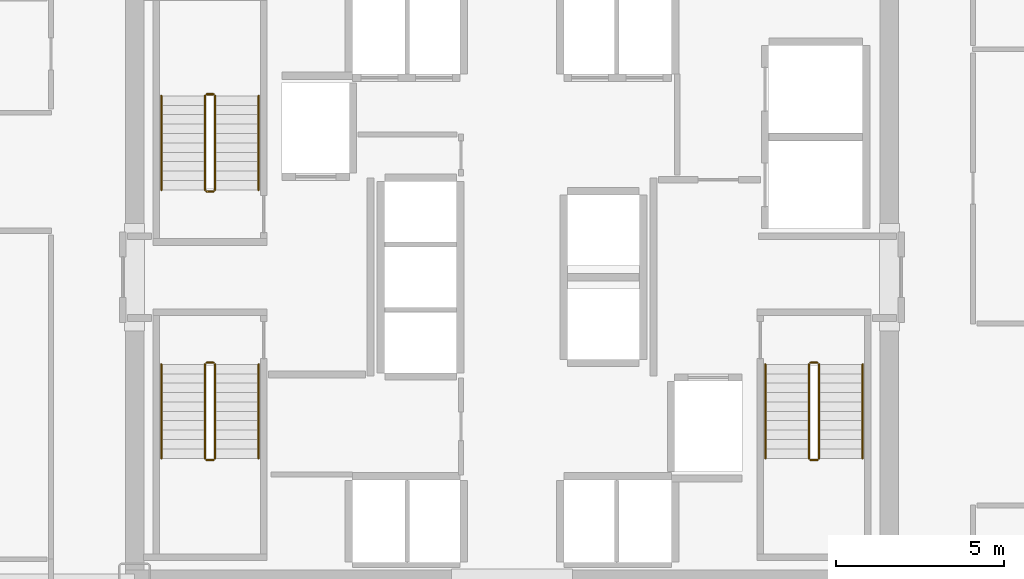
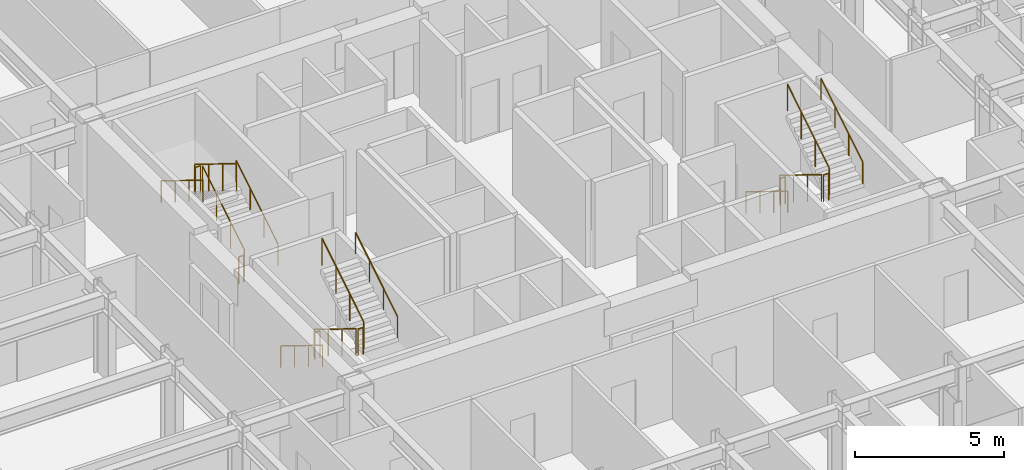
# One storey, part 25 of 25: 18 railings.
"""IFC4 building model written with IfcOpenShell, lengths in metres."""

from ifc_helpers import new_model, si_unit, direction, frame, origin, origin_2d, place, context, subcontext, project, spatial, circle, extrude, material, type_object, element, save


model = new_model("IFC4")

# Units and contexts
model_context = context("Model", 3, precision=1e-05, world=origin(), true_north=direction((0.0, 1.0)))
body_context = subcontext(model_context, "Body", "Model", "MODEL_VIEW")
ifc_project = project(units=[si_unit("LENGTHUNIT", "METRE"), si_unit("AREAUNIT", "SQUARE_METRE"), si_unit("VOLUMEUNIT", "CUBIC_METRE"), si_unit("PLANEANGLEUNIT", "RADIAN"), si_unit("MASSUNIT", "GRAM", prefix="KILO")], contexts=[model_context])

# Site, building, storey
site_placement = place(None, origin())
site = spatial("IfcSite", under=ifc_project, at=site_placement, CompositionType="ELEMENT")
building_placement = place(site_placement, origin())
building = spatial("IfcBuilding", under=site, at=building_placement, Name="Nefas-Gora Pilgrimage Tower", CompositionType="ELEMENT")
storey_placement = place(building_placement, frame((0.0, 0.0, 98.39990234375)))
storey = spatial("IfcBuildingStorey", under=building, at=storey_placement, Name="L23", CompositionType="ELEMENT", Elevation=98.39990234375)

# Railings
ifc_material_1 = material(Name="Painted galvanised steel", Category="steel")
railing_type_1 = type_object("IfcRailingType", Name="RLG-STR-GUARD-1100", PredefinedType="GUARDRAIL", material=ifc_material_1)
railing_1_placement = place(storey_placement, frame((-8.85009765625, 2.60009765625, 0.1728515625)))
element("IfcRailing", 1, at=railing_1_placement, inside=storey, type_object=railing_type_1, Name="L23 ST-01 stair guard 1", PredefinedType="GUARDRAIL", context=body_context, shape_type="SweptSolid", body=[
    extrude(circle(Radius=0.02392578125, at=origin_2d()), frame((0.0, 0.0, 1.09619140625), z_axis=(0.0, 0.851069175582, 0.525053576669), x_axis=(-1.0, 0.0, 0.0)), (0.0, 0.0, 1.0), 3.289794921875),
    extrude(circle(Radius=0.02099609375, at=origin_2d()), origin(), (0.0, 0.0, 1.0), 1.072021484375),
    extrude(circle(Radius=0.02099609375, at=origin_2d()), frame((0.0, 0.933349609375, 0.57568359375)), (0.0, 0.0, 1.0), 1.072021484375),
    extrude(circle(Radius=0.02099609375, at=origin_2d()), frame((0.0, 1.866455078125, 1.151611328125)), (0.0, 0.0, 1.0), 1.072021484375),
    extrude(circle(Radius=0.02099609375, at=origin_2d()), frame((0.0, 2.7998046875, 1.727294921875)), (0.0, 0.0, 1.0), 1.072021484375),
])
railing_2_placement = place(storey_placement, frame((-8.89990234375, 5.449951171875, 1.900146484375)))
element("IfcRailing", 2, at=railing_2_placement, inside=storey, type_object=railing_type_1, Name="L23 ST-01 stair guard 2", PredefinedType="GUARDRAIL", context=body_context, shape_type="SweptSolid", body=[
    extrude(circle(Radius=0.02392578125, at=origin_2d()), frame((0.0, 0.0, 1.09619140625), z_axis=(-1.0, 0.0, 0.0), x_axis=(0.0, -1.0, 0.0)), (0.0, 0.0, 1.0), 0.2001953125),
    extrude(circle(Radius=0.02099609375, at=origin_2d()), origin(), (0.0, 0.0, 1.0), 1.072021484375),
    extrude(circle(Radius=0.02099609375, at=origin_2d()), frame((-0.2001953125, 0.0, 0.0)), (0.0, 0.0, 1.0), 1.072021484375),
])
railing_3_placement = place(storey_placement, frame((-9.14990234375, 5.39990234375, 2.07275390625)))
element("IfcRailing", 3, at=railing_3_placement, inside=storey, type_object=railing_type_1, Name="L23 ST-01 stair guard 3", PredefinedType="GUARDRAIL", context=body_context, shape_type="SweptSolid", body=[
    extrude(circle(Radius=0.02392578125, at=origin_2d()), frame((0.0, 0.0, 1.09619140625), z_axis=(0.0, -0.851069175582, 0.525053576669), x_axis=(1.0, 0.0, 0.0)), (0.0, 0.0, 1.0), 3.289794921875),
    extrude(circle(Radius=0.02099609375, at=origin_2d()), origin(), (0.0, 0.0, 1.0), 1.072021484375),
    extrude(circle(Radius=0.02099609375, at=origin_2d()), frame((0.0, -0.933349609375, 0.57568359375)), (0.0, 0.0, 1.0), 1.072021484375),
    extrude(circle(Radius=0.02099609375, at=origin_2d()), frame((0.0, -1.866455078125, 1.151611328125)), (0.0, 0.0, 1.0), 1.072021484375),
    extrude(circle(Radius=0.02099609375, at=origin_2d()), frame((0.0, -2.7998046875, 1.727294921875)), (0.0, 0.0, 1.0), 1.072021484375),
])
railing_4_placement = place(storey_placement, frame((-8.89990234375, 2.550048828125, 0.0)))
element("IfcRailing", 4, at=railing_4_placement, inside=storey, type_object=railing_type_1, Name="L23 ST-01 stair guard 4", PredefinedType="GUARDRAIL", context=body_context, shape_type="SweptSolid", body=[
    extrude(circle(Radius=0.02392578125, at=origin_2d()), frame((0.0, 0.0, 1.09619140625), z_axis=(-1.0, 0.0, 0.0), x_axis=(0.0, -1.0, 0.0)), (0.0, 0.0, 1.0), 0.2001953125),
    extrude(circle(Radius=0.02099609375, at=origin_2d()), origin(), (0.0, 0.0, 1.0), 1.072021484375),
    extrude(circle(Radius=0.02099609375, at=origin_2d()), frame((-0.2001953125, 0.0, 0.0)), (0.0, 0.0, 1.0), 1.072021484375),
])
railing_5_placement = place(storey_placement, frame((8.85009765625, -2.60009765625, 0.1728515625)))
element("IfcRailing", 5, at=railing_5_placement, inside=storey, type_object=railing_type_1, Name="L23 ST-02 stair guard 1", PredefinedType="GUARDRAIL", context=body_context, shape_type="SweptSolid", body=[
    extrude(circle(Radius=0.02392578125, at=origin_2d()), frame((0.0, 0.0, 1.09619140625), z_axis=(0.0, -0.851069175582, 0.525053576669), x_axis=(1.0, 0.0, 0.0)), (0.0, 0.0, 1.0), 3.289794921875),
    extrude(circle(Radius=0.02099609375, at=origin_2d()), origin(), (0.0, 0.0, 1.0), 1.072021484375),
    extrude(circle(Radius=0.02099609375, at=origin_2d()), frame((0.0, -0.933349609375, 0.57568359375)), (0.0, 0.0, 1.0), 1.072021484375),
    extrude(circle(Radius=0.02099609375, at=origin_2d()), frame((0.0, -1.866455078125, 1.151611328125)), (0.0, 0.0, 1.0), 1.072021484375),
    extrude(circle(Radius=0.02099609375, at=origin_2d()), frame((0.0, -2.7998046875, 1.727294921875)), (0.0, 0.0, 1.0), 1.072021484375),
])
railing_6_placement = place(storey_placement, frame((8.89990234375, -5.449951171875, 1.900146484375)))
element("IfcRailing", 6, at=railing_6_placement, inside=storey, type_object=railing_type_1, Name="L23 ST-02 stair guard 2", PredefinedType="GUARDRAIL", context=body_context, shape_type="SweptSolid", body=[
    extrude(circle(Radius=0.02392578125, at=origin_2d()), frame((0.0, 0.0, 1.09619140625), z_axis=(1.0, 0.0, 0.0), x_axis=(0.0, 1.0, 0.0)), (0.0, 0.0, 1.0), 0.2001953125),
    extrude(circle(Radius=0.02099609375, at=origin_2d()), origin(), (0.0, 0.0, 1.0), 1.072021484375),
    extrude(circle(Radius=0.02099609375, at=origin_2d()), frame((0.2001953125, 0.0, 0.0)), (0.0, 0.0, 1.0), 1.072021484375),
])
railing_7_placement = place(storey_placement, frame((9.14990234375, -5.39990234375, 2.07275390625)))
element("IfcRailing", 7, at=railing_7_placement, inside=storey, type_object=railing_type_1, Name="L23 ST-02 stair guard 3", PredefinedType="GUARDRAIL", context=body_context, shape_type="SweptSolid", body=[
    extrude(circle(Radius=0.02392578125, at=origin_2d()), frame((0.0, 0.0, 1.09619140625), z_axis=(0.0, 0.851069175582, 0.525053576669), x_axis=(-1.0, 0.0, 0.0)), (0.0, 0.0, 1.0), 3.289794921875),
    extrude(circle(Radius=0.02099609375, at=origin_2d()), origin(), (0.0, 0.0, 1.0), 1.072021484375),
    extrude(circle(Radius=0.02099609375, at=origin_2d()), frame((0.0, 0.933349609375, 0.57568359375)), (0.0, 0.0, 1.0), 1.072021484375),
    extrude(circle(Radius=0.02099609375, at=origin_2d()), frame((0.0, 1.866455078125, 1.151611328125)), (0.0, 0.0, 1.0), 1.072021484375),
    extrude(circle(Radius=0.02099609375, at=origin_2d()), frame((0.0, 2.7998046875, 1.727294921875)), (0.0, 0.0, 1.0), 1.072021484375),
])
railing_8_placement = place(storey_placement, frame((8.89990234375, -2.550048828125, 0.0)))
element("IfcRailing", 8, at=railing_8_placement, inside=storey, type_object=railing_type_1, Name="L23 ST-02 stair guard 4", PredefinedType="GUARDRAIL", context=body_context, shape_type="SweptSolid", body=[
    extrude(circle(Radius=0.02392578125, at=origin_2d()), frame((0.0, 0.0, 1.09619140625), z_axis=(1.0, 0.0, 0.0), x_axis=(0.0, 1.0, 0.0)), (0.0, 0.0, 1.0), 0.2001953125),
    extrude(circle(Radius=0.02099609375, at=origin_2d()), origin(), (0.0, 0.0, 1.0), 1.072021484375),
    extrude(circle(Radius=0.02099609375, at=origin_2d()), frame((0.2001953125, 0.0, 0.0)), (0.0, 0.0, 1.0), 1.072021484375),
])
railing_9_placement = place(storey_placement, frame((-9.14990234375, -2.60009765625, 0.1728515625)))
element("IfcRailing", 9, at=railing_9_placement, inside=storey, type_object=railing_type_1, Name="L23 ST-03 stair guard 1", PredefinedType="GUARDRAIL", context=body_context, shape_type="SweptSolid", body=[
    extrude(circle(Radius=0.02392578125, at=origin_2d()), frame((0.0, 0.0, 1.09619140625), z_axis=(0.0, -0.851069175582, 0.525053576669), x_axis=(1.0, 0.0, 0.0)), (0.0, 0.0, 1.0), 3.289794921875),
    extrude(circle(Radius=0.02099609375, at=origin_2d()), origin(), (0.0, 0.0, 1.0), 1.072021484375),
    extrude(circle(Radius=0.02099609375, at=origin_2d()), frame((0.0, -0.933349609375, 0.57568359375)), (0.0, 0.0, 1.0), 1.072021484375),
    extrude(circle(Radius=0.02099609375, at=origin_2d()), frame((0.0, -1.866455078125, 1.151611328125)), (0.0, 0.0, 1.0), 1.072021484375),
    extrude(circle(Radius=0.02099609375, at=origin_2d()), frame((0.0, -2.7998046875, 1.727294921875)), (0.0, 0.0, 1.0), 1.072021484375),
])
railing_10_placement = place(storey_placement, frame((-9.10009765625, -5.449951171875, 1.900146484375)))
element("IfcRailing", 10, at=railing_10_placement, inside=storey, type_object=railing_type_1, Name="L23 ST-03 stair guard 2", PredefinedType="GUARDRAIL", context=body_context, shape_type="SweptSolid", body=[
    extrude(circle(Radius=0.02392578125, at=origin_2d()), frame((0.0, 0.0, 1.09619140625), z_axis=(1.0, 0.0, 0.0), x_axis=(0.0, 1.0, 0.0)), (0.0, 0.0, 1.0), 0.2001953125),
    extrude(circle(Radius=0.02099609375, at=origin_2d()), origin(), (0.0, 0.0, 1.0), 1.072021484375),
    extrude(circle(Radius=0.02099609375, at=origin_2d()), frame((0.2001953125, 0.0, 0.0)), (0.0, 0.0, 1.0), 1.072021484375),
])
railing_11_placement = place(storey_placement, frame((-8.85009765625, -5.39990234375, 2.07275390625)))
element("IfcRailing", 11, at=railing_11_placement, inside=storey, type_object=railing_type_1, Name="L23 ST-03 stair guard 3", PredefinedType="GUARDRAIL", context=body_context, shape_type="SweptSolid", body=[
    extrude(circle(Radius=0.02392578125, at=origin_2d()), frame((0.0, 0.0, 1.09619140625), z_axis=(0.0, 0.851069175582, 0.525053576669), x_axis=(-1.0, 0.0, 0.0)), (0.0, 0.0, 1.0), 3.289794921875),
    extrude(circle(Radius=0.02099609375, at=origin_2d()), origin(), (0.0, 0.0, 1.0), 1.072021484375),
    extrude(circle(Radius=0.02099609375, at=origin_2d()), frame((0.0, 0.933349609375, 0.57568359375)), (0.0, 0.0, 1.0), 1.072021484375),
    extrude(circle(Radius=0.02099609375, at=origin_2d()), frame((0.0, 1.866455078125, 1.151611328125)), (0.0, 0.0, 1.0), 1.072021484375),
    extrude(circle(Radius=0.02099609375, at=origin_2d()), frame((0.0, 2.7998046875, 1.727294921875)), (0.0, 0.0, 1.0), 1.072021484375),
])
railing_12_placement = place(storey_placement, frame((-9.10009765625, -2.550048828125, 0.0)))
element("IfcRailing", 12, at=railing_12_placement, inside=storey, type_object=railing_type_1, Name="L23 ST-03 stair guard 4", PredefinedType="GUARDRAIL", context=body_context, shape_type="SweptSolid", body=[
    extrude(circle(Radius=0.02392578125, at=origin_2d()), frame((0.0, 0.0, 1.09619140625), z_axis=(1.0, 0.0, 0.0), x_axis=(0.0, 1.0, 0.0)), (0.0, 0.0, 1.0), 0.2001953125),
    extrude(circle(Radius=0.02099609375, at=origin_2d()), origin(), (0.0, 0.0, 1.0), 1.072021484375),
    extrude(circle(Radius=0.02099609375, at=origin_2d()), frame((0.2001953125, 0.0, 0.0)), (0.0, 0.0, 1.0), 1.072021484375),
])
ifc_material_2 = material(Name="Brushed stainless steel", Category="steel")
railing_type_2 = type_object("IfcRailingType", Name="RLG-STR-HAND-900", PredefinedType="HANDRAIL", material=ifc_material_2)
railing_13_placement = place(storey_placement, frame((-7.550048828125, 2.60009765625, 0.1728515625)))
element("IfcRailing", 13, at=railing_13_placement, inside=storey, type_object=railing_type_2, Name="L23 ST-01 stair handrail 1", PredefinedType="HANDRAIL", context=body_context, shape_type="SweptSolid", body=[
    extrude(circle(Radius=0.02392578125, at=origin_2d()), frame((0.0, 0.0, 0.8759765625), z_axis=(0.0, 0.851069175582, 0.525053576669), x_axis=(-1.0, 0.0, 0.0)), (0.0, 0.0, 1.0), 3.289794921875),
    extrude(circle(Radius=0.02099609375, at=origin_2d()), origin(), (0.0, 0.0, 1.0), 0.851806640625),
    extrude(circle(Radius=0.02099609375, at=origin_2d()), frame((0.0, 0.933349609375, 0.57568359375)), (0.0, 0.0, 1.0), 0.851806640625),
    extrude(circle(Radius=0.02099609375, at=origin_2d()), frame((0.0, 1.866455078125, 1.151611328125)), (0.0, 0.0, 1.0), 0.851806640625),
    extrude(circle(Radius=0.02099609375, at=origin_2d()), frame((0.0, 2.7998046875, 1.727294921875)), (0.0, 0.0, 1.0), 0.851806640625),
])
for number, where, name in (
    (14, (-10.449951171875, 5.39990234375, 2.07275390625), "L23 ST-01 stair handrail 2"),
    (15, (7.550048828125, -2.60009765625, 0.1728515625), "L23 ST-02 stair handrail 1"),
):
    element("IfcRailing", number, at=place(storey_placement, frame(where)), inside=storey, type_object=railing_type_2, Name=name, PredefinedType="HANDRAIL", context=body_context, shape_type="SweptSolid", body=[
        extrude(circle(Radius=0.02392578125, at=origin_2d()), frame((0.0, 0.0, 0.8759765625), z_axis=(0.0, -0.851069175582, 0.525053576669), x_axis=(1.0, 0.0, 0.0)), (0.0, 0.0, 1.0), 3.289794921875),
        extrude(circle(Radius=0.02099609375, at=origin_2d()), origin(), (0.0, 0.0, 1.0), 0.851806640625),
        extrude(circle(Radius=0.02099609375, at=origin_2d()), frame((0.0, -0.933349609375, 0.57568359375)), (0.0, 0.0, 1.0), 0.851806640625),
        extrude(circle(Radius=0.02099609375, at=origin_2d()), frame((0.0, -1.866455078125, 1.151611328125)), (0.0, 0.0, 1.0), 0.851806640625),
        extrude(circle(Radius=0.02099609375, at=origin_2d()), frame((0.0, -2.7998046875, 1.727294921875)), (0.0, 0.0, 1.0), 0.851806640625),
    ])
railing_14_placement = place(storey_placement, frame((10.449951171875, -5.39990234375, 2.07275390625)))
element("IfcRailing", 16, at=railing_14_placement, inside=storey, type_object=railing_type_2, Name="L23 ST-02 stair handrail 2", PredefinedType="HANDRAIL", context=body_context, shape_type="SweptSolid", body=[
    extrude(circle(Radius=0.02392578125, at=origin_2d()), frame((0.0, 0.0, 0.8759765625), z_axis=(0.0, 0.851069175582, 0.525053576669), x_axis=(-1.0, 0.0, 0.0)), (0.0, 0.0, 1.0), 3.289794921875),
    extrude(circle(Radius=0.02099609375, at=origin_2d()), origin(), (0.0, 0.0, 1.0), 0.851806640625),
    extrude(circle(Radius=0.02099609375, at=origin_2d()), frame((0.0, 0.933349609375, 0.57568359375)), (0.0, 0.0, 1.0), 0.851806640625),
    extrude(circle(Radius=0.02099609375, at=origin_2d()), frame((0.0, 1.866455078125, 1.151611328125)), (0.0, 0.0, 1.0), 0.851806640625),
    extrude(circle(Radius=0.02099609375, at=origin_2d()), frame((0.0, 2.7998046875, 1.727294921875)), (0.0, 0.0, 1.0), 0.851806640625),
])
railing_15_placement = place(storey_placement, frame((-10.449951171875, -2.60009765625, 0.1728515625)))
element("IfcRailing", 17, at=railing_15_placement, inside=storey, type_object=railing_type_2, Name="L23 ST-03 stair handrail 1", PredefinedType="HANDRAIL", context=body_context, shape_type="SweptSolid", body=[
    extrude(circle(Radius=0.02392578125, at=origin_2d()), frame((0.0, 0.0, 0.8759765625), z_axis=(0.0, -0.851069175582, 0.525053576669), x_axis=(1.0, 0.0, 0.0)), (0.0, 0.0, 1.0), 3.289794921875),
    extrude(circle(Radius=0.02099609375, at=origin_2d()), origin(), (0.0, 0.0, 1.0), 0.851806640625),
    extrude(circle(Radius=0.02099609375, at=origin_2d()), frame((0.0, -0.933349609375, 0.57568359375)), (0.0, 0.0, 1.0), 0.851806640625),
    extrude(circle(Radius=0.02099609375, at=origin_2d()), frame((0.0, -1.866455078125, 1.151611328125)), (0.0, 0.0, 1.0), 0.851806640625),
    extrude(circle(Radius=0.02099609375, at=origin_2d()), frame((0.0, -2.7998046875, 1.727294921875)), (0.0, 0.0, 1.0), 0.851806640625),
])
railing_16_placement = place(storey_placement, frame((-7.550048828125, -5.39990234375, 2.07275390625)))
element("IfcRailing", 18, at=railing_16_placement, inside=storey, type_object=railing_type_2, Name="L23 ST-03 stair handrail 2", PredefinedType="HANDRAIL", context=body_context, shape_type="SweptSolid", body=[
    extrude(circle(Radius=0.02392578125, at=origin_2d()), frame((0.0, 0.0, 0.8759765625), z_axis=(0.0, 0.851069175582, 0.525053576669), x_axis=(-1.0, 0.0, 0.0)), (0.0, 0.0, 1.0), 3.289794921875),
    extrude(circle(Radius=0.02099609375, at=origin_2d()), origin(), (0.0, 0.0, 1.0), 0.851806640625),
    extrude(circle(Radius=0.02099609375, at=origin_2d()), frame((0.0, 0.933349609375, 0.57568359375)), (0.0, 0.0, 1.0), 0.851806640625),
    extrude(circle(Radius=0.02099609375, at=origin_2d()), frame((0.0, 1.866455078125, 1.151611328125)), (0.0, 0.0, 1.0), 0.851806640625),
    extrude(circle(Radius=0.02099609375, at=origin_2d()), frame((0.0, 2.7998046875, 1.727294921875)), (0.0, 0.0, 1.0), 0.851806640625),
])

save(model, "model.ifc")
